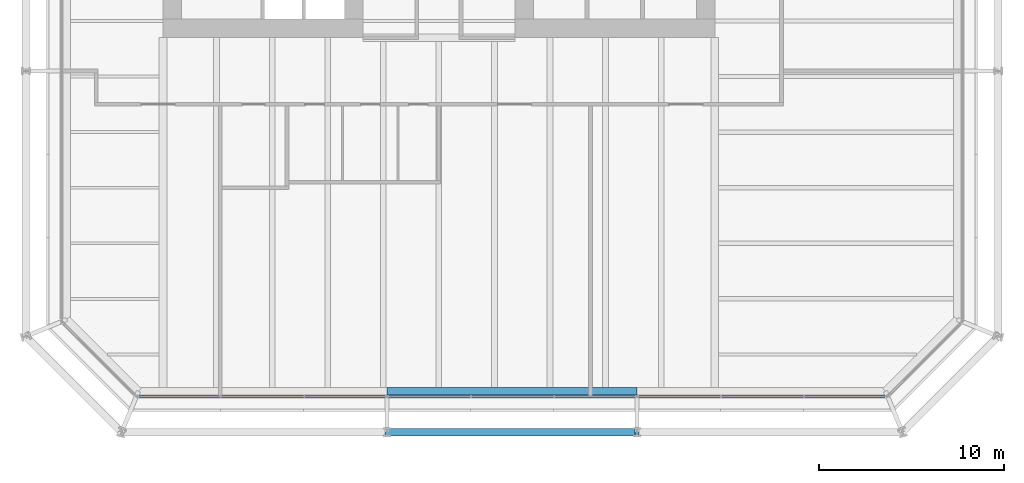
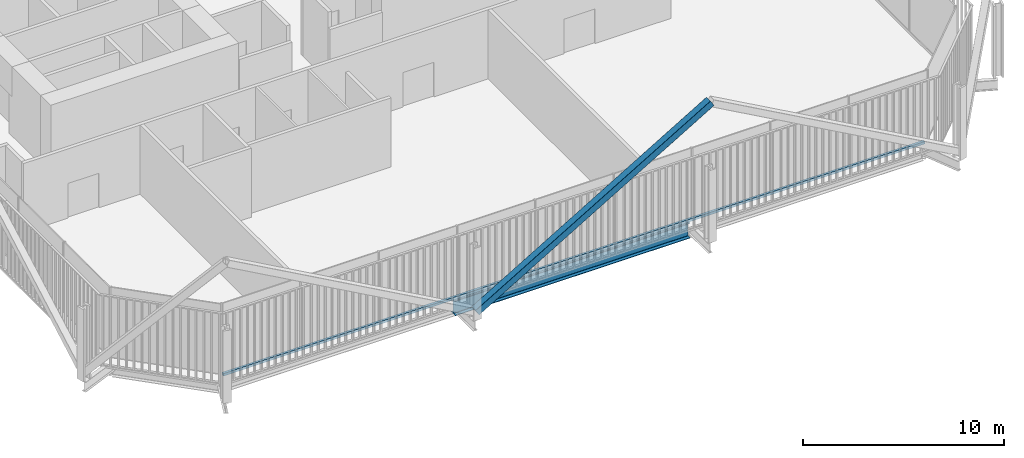
# One storey, part 3 of 21: 2 members, 1 beam, 1 element without a shape of its own.
"""IFC4 building model written with IfcOpenShell, lengths in metres."""

from ifc_helpers import new_model, si_unit, direction, frame, origin, origin_2d, place, context, subcontext, project, spatial, rectangle, hollow_rectangle, i_section, extrude, material, layer, layer_set, material_profile, profile_set, type_object, element, aggregate, save


model = new_model("IFC4")

# Units and contexts
model_context = context("Model", 3, precision=1e-05, world=origin(), true_north=direction((0.0, 1.0)))
body_context = subcontext(model_context, "Body", "Model", "MODEL_VIEW")
ifc_project = project(units=[si_unit("LENGTHUNIT", "METRE"), si_unit("AREAUNIT", "SQUARE_METRE"), si_unit("VOLUMEUNIT", "CUBIC_METRE"), si_unit("PLANEANGLEUNIT", "RADIAN"), si_unit("MASSUNIT", "GRAM", prefix="KILO")], contexts=[model_context])

# Site, building, storey
site_placement = place(None, origin())
site = spatial("IfcSite", under=ifc_project, at=site_placement, CompositionType="ELEMENT")
building_placement = place(site_placement, origin())
building = spatial("IfcBuilding", under=site, at=building_placement, Name="Millrace Tower", CompositionType="ELEMENT")
storey_placement = place(building_placement, frame((0.0, 0.0, 95.199951171875)))
storey = spatial("IfcBuildingStorey", under=building, at=storey_placement, Name="L21", CompositionType="ELEMENT", Elevation=95.199951171875)

# Curtain wall, member
ifc_material_1 = material(Name="Aluminium and glass", Category="aluminium")
ifc_layer = layer(ifc_material_1, 0.14990234375)
ifc_layer_set = layer_set([ifc_layer], Name="Aluminium and glass")
curtain_wall_type = type_object("IfcCurtainWallType", Name="CW-3 telecom floor curtain wall", PredefinedType="NOTDEFINED", material=ifc_layer_set)
curtain_wall_placement = place(storey_placement, origin())
curtain_wall = element("IfcCurtainWall", 1, at=curtain_wall_placement, inside=storey, type_object=curtain_wall_type, Name="Curtain wall B-F02 L21", PredefinedType="NOTDEFINED")
ifc_material_2 = material(Name="Aluminium", Category="aluminium")
ifc_material_profile_1 = material_profile(ifc_material_2, rectangle(XDim=0.14990234375, YDim=0.14990234375, at=origin_2d()))
ifc_profile_set_1 = profile_set([ifc_material_profile_1], Name="Aluminium")
member_type_1 = type_object("IfcMemberType", Name="CW-3 telecom floor curtain wall transom", PredefinedType="USERDEFINED", material=ifc_profile_set_1)
member_1_placement = place(storey_placement, frame((-16.199951171875, -29.27490234375, 0.074951171875), z_axis=(1.0, 0.0, 0.0), x_axis=(0.0, 1.0, 0.0)))
member_1 = element("IfcMember", 2, at=member_1_placement, type_object=member_type_1, Name="CW3 transom B-F02.1", ObjectType="TRANSOM", PredefinedType="USERDEFINED", context=body_context, shape_type="SweptSolid", body=[
    extrude(rectangle(XDim=0.14990234375, YDim=0.14990234375, at=origin_2d()), origin(), (0.0, 0.0, 1.0), 40.300048828125),
])
aggregate(curtain_wall, [member_1])

# Member
ifc_material_3 = material(Name="Steel ASTM A500 Grade C", Category="steel")
ifc_material_profile_2 = material_profile(ifc_material_3, hollow_rectangle(XDim=0.406494140625, YDim=0.406494140625, WallThickness=0.0126953125, InnerFilletRadius=0.00634765625, OuterFilletRadius=0.01904296875, at=origin_2d()))
ifc_profile_set_2 = profile_set([ifc_material_profile_2], Name="Steel ASTM A500 Grade C")
member_type_2 = type_object("IfcMemberType", Name="Exoskeleton brace HSS16x16x1/2", PredefinedType="BRACE", material=ifc_profile_set_2)
member_2_placement = place(storey_placement, frame((-2.800048828125, -31.199951171875, 0.400146484375), z_axis=(0.860291533634, 0.0, 0.509802390302), x_axis=(0.0, 1.0, 0.0)))
element("IfcMember", 3, at=member_2_placement, inside=storey, type_object=member_type_2, Name="BRC-B-L21-03", PredefinedType="BRACE", context=body_context, shape_type="SweptSolid", body=[
    extrude(hollow_rectangle(XDim=0.406494140625, YDim=0.406494140625, WallThickness=0.0126953125, InnerFilletRadius=0.00634765625, OuterFilletRadius=0.01904296875, at=origin_2d()), origin(), (0.0, 0.0, 1.0), 15.6923828125),
])

# Beam
ifc_material_4 = material(Name="Steel ASTM A992 Grade 50", Category="steel")
ifc_material_profile_3 = material_profile(ifc_material_4, i_section(OverallWidth=0.419189453125, OverallDepth=0.927001953125, WebThickness=0.019287109375, FlangeThickness=0.031982421875, FilletRadius=0.024169921875, at=origin_2d()))
ifc_profile_set_3 = profile_set([ifc_material_profile_3], Name="Steel ASTM A992 Grade 50")
beam_type = type_object("IfcBeamType", Name="Ring beam medium span W36x231", PredefinedType="SPANDREL", material=ifc_profile_set_3)
beam_placement = place(storey_placement, frame((10.699951171875, -28.990478515625, -0.66357421875), z_axis=(-1.0, 0.0, 0.0), x_axis=(0.0, -1.0, 0.0)))
element("IfcBeam", 4, at=beam_placement, inside=storey, type_object=beam_type, Name="RNG-B-L21-S1-14", PredefinedType="SPANDREL", context=body_context, shape_type="SweptSolid", body=[
    extrude(i_section(OverallWidth=0.419189453125, OverallDepth=0.927001953125, WebThickness=0.019287109375, FlangeThickness=0.031982421875, FilletRadius=0.024169921875, at=origin_2d()), origin(), (0.0, 0.0, 1.0), 13.5),
])

save(model, "model.ifc")
